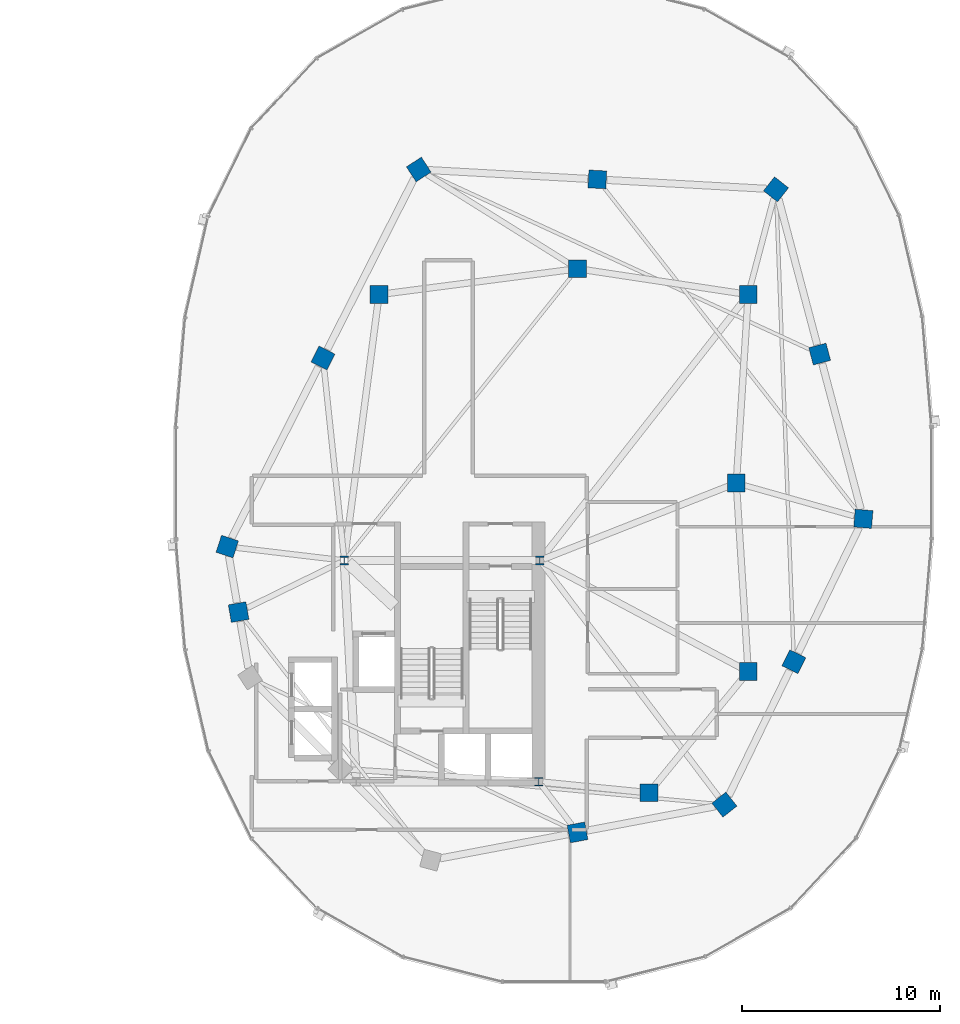
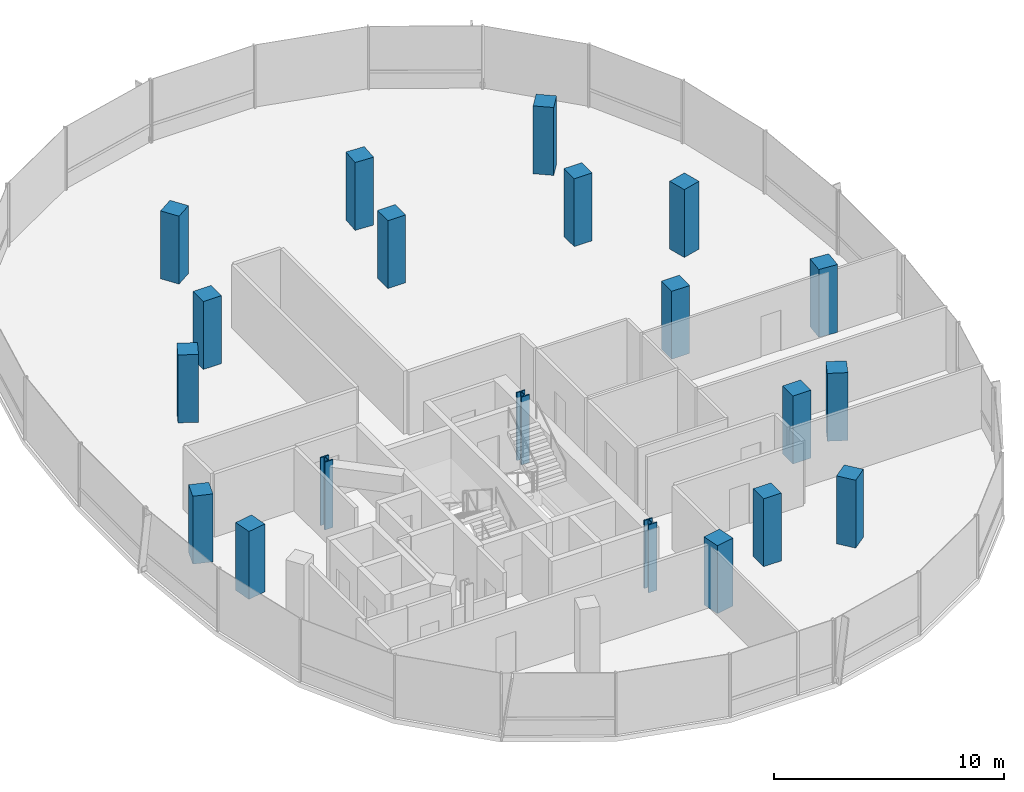
# One storey, part 2 of 25: 20 columns.
"""IFC4 building model written with IfcOpenShell, lengths in metres."""

from ifc_helpers import new_model, si_unit, direction, frame, origin, origin_2d, place, context, subcontext, project, spatial, rectangle, i_section, extrude, material, material_profile, profile_set, type_object, element, save


model = new_model("IFC4")

# Units and contexts
model_context = context("Model", 3, precision=1e-05, world=origin(), true_north=direction((0.0, 1.0)))
body_context = subcontext(model_context, "Body", "Model", "MODEL_VIEW")
ifc_project = project(units=[si_unit("LENGTHUNIT", "METRE"), si_unit("AREAUNIT", "SQUARE_METRE"), si_unit("VOLUMEUNIT", "CUBIC_METRE"), si_unit("PLANEANGLEUNIT", "RADIAN"), si_unit("MASSUNIT", "GRAM", prefix="KILO"), si_unit("THERMODYNAMICTEMPERATUREUNIT", "KELVIN"), si_unit("POWERUNIT", "WATT")], contexts=[model_context])

# Site, building, storey
site_placement = place(None, origin())
site = spatial("IfcSite", under=ifc_project, at=site_placement, CompositionType="ELEMENT")
building_placement = place(site_placement, origin())
building = spatial("IfcBuilding", under=site, at=building_placement, Name="Cundina Bronze Exchange", CompositionType="ELEMENT")
storey_placement = place(building_placement, frame((0.0, 0.0, 191.800048828125)))
storey = spatial("IfcBuildingStorey", under=building, at=storey_placement, Name="L50", CompositionType="ELEMENT", Elevation=191.800048828125)

# Columns
ifc_material_1 = material(Name="Steel ASTM A992 Grade 50", Category="steel")
ifc_material_profile_1 = material_profile(ifc_material_1, i_section(OverallWidth=0.416015625, OverallDepth=0.446044921875, WebThickness=0.0390625, FlangeThickness=0.062744140625, FilletRadius=0.01806640625, at=origin_2d()), Name="W14X342", Category="steel")
ifc_profile_set_1 = profile_set([ifc_material_profile_1], Name="Steel ASTM A992 Grade 50")
column_type_1 = type_object("IfcColumnType", Name="COL-STL-W14B", PredefinedType="COLUMN", material=ifc_profile_set_1)
for number, where, z_axis, x_axis, name in (
    (1, (31.300048828125, -3.89990234375, 0.0), (0.0, 0.0, 1.0), (1.0, 0.0, 0.0), "L50 Core Anchor Column E1"),
    (2, (21.449951171875, -3.89990234375, 0.0), (0.0, 0.0, 1.0), (1.0, 0.0, 0.0), "L50 Core Anchor Column E2"),
    (3, (31.25, -15.050048828125, 0.0), (0.0, 0.0, 1.0), (1.0, 0.0, 0.0), "L50 Core Anchor Column E4"),
):
    element("IfcColumn", number, at=place(storey_placement, frame(where, z_axis=z_axis, x_axis=x_axis)), inside=storey, type_object=column_type_1, Name=name, PredefinedType="COLUMN", context=body_context, shape_type="SweptSolid", body=[
        extrude(i_section(OverallWidth=0.416015625, OverallDepth=0.446044921875, WebThickness=0.0390625, FlangeThickness=0.062744140625, FilletRadius=0.01806640625, at=origin_2d()), origin(), (0.0, 0.0, 1.0), 3.599853515625),
    ])
ifc_material_2 = material(Name="Concrete C50/60", Category="concrete")
ifc_material_profile_2 = material_profile(ifc_material_2, rectangle(XDim=0.89990234375, YDim=0.89990234375, at=origin_2d()), Name="RC900X900", Category="concrete")
ifc_profile_set_2 = profile_set([ifc_material_profile_2], Name="Concrete C50/60")
column_type_2 = type_object("IfcColumnType", Name="COL-Z4-900", PredefinedType="COLUMN", material=ifc_profile_set_2)
for number, where, z_axis, x_axis, name in (
    (4, (41.199951171875, 0.0, 0.0), (0.0, 0.0, 1.0), (1.0, 0.0, 0.0), "L50 E Inner Ring Column 1"),
    (5, (41.800048828125, -9.5, 0.0), (0.0, 0.0, 1.0), (1.0, 0.0, 0.0), "L50 E Inner Ring Column 2"),
    (6, (36.800048828125, -15.60009765625, 0.0), (0.0, 0.0, 1.0), (1.0, 0.0, 0.0), "L50 E Inner Ring Column 3"),
    (7, (41.800048828125, 9.5, 0.0), (0.0, 0.0, 1.0), (1.0, 0.0, 0.0), "L50 E Inner Ring Column 4"),
    (8, (33.199951171875, 10.800048828125, 0.0), (0.0, 0.0, 1.0), (1.0, 0.0, 0.0), "L50 E Inner Ring Column 5"),
    (9, (23.199951171875, 9.5, 0.0), (0.0, 0.0, 1.0), (1.0, 0.0, 0.0), "L50 E Inner Ring Column 6"),
    (10, (15.550048828125, -3.199951171875, 0.0), (0.0, 0.0, 1.0), (-0.315152163383, -0.949041155016, 0.0), "L50 E Perimeter Column 00"),
    (11, (16.125, -6.5, 0.0), (0.0, 0.0, 1.0), (0.171585221787, -0.985169280715, 0.0), "L50 E Perimeter Column 01"),
    (12, (33.199951171875, -17.60009765625, 0.0), (0.0, 0.0, 1.0), (0.98258037664, 0.185838110843, 0.0), "L50 E Perimeter Column 05"),
    (13, (40.60009765625, -16.199951171875, 0.0), (0.0, 0.0, 1.0), (0.785100778485, 0.619368038909, 0.0), "L50 E Perimeter Column 06"),
    (14, (44.10009765625, -9.0, 0.0), (0.0, 0.0, 1.0), (0.437115766651, 0.899405251566, 0.0), "L50 E Perimeter Column 07"),
    (15, (47.60009765625, -1.800048828125, 0.0), (0.0, 0.0, 1.0), (0.083503921245, 0.996507448611, 0.0), "L50 E Perimeter Column 08"),
    (16, (45.39990234375, 6.5, 0.0), (0.0, 0.0, 1.0), (-0.256289373133, 0.966600102017, 0.0), "L50 E Perimeter Column 09"),
    (17, (43.199951171875, 14.800048828125, 0.0), (0.0, 0.0, 1.0), (-0.786288432137, 0.61785961309, 0.0), "L50 E Perimeter Column 10"),
    (18, (34.199951171875, 15.300048828125, 0.0), (0.0, 0.0, 1.0), (-0.998460188734, 0.055472980025, 0.0), "L50 E Perimeter Column 11"),
    (19, (25.199951171875, 15.800048828125, 0.0), (0.0, 0.0, 1.0), (-0.838099763533, -0.545516989988, 0.0), "L50 E Perimeter Column 12"),
    (20, (20.375, 6.300048828125, 0.0), (0.0, 0.0, 1.0), (-0.452901591366, -0.891560513111, 0.0), "L50 E Perimeter Column 13"),
):
    element("IfcColumn", number, at=place(storey_placement, frame(where, z_axis=z_axis, x_axis=x_axis)), inside=storey, type_object=column_type_2, Name=name, PredefinedType="COLUMN", context=body_context, shape_type="SweptSolid", body=[
        extrude(rectangle(XDim=0.89990234375, YDim=0.89990234375, at=origin_2d()), origin(), (0.0, 0.0, 1.0), 3.599853515625),
    ])

save(model, "model.ifc")
